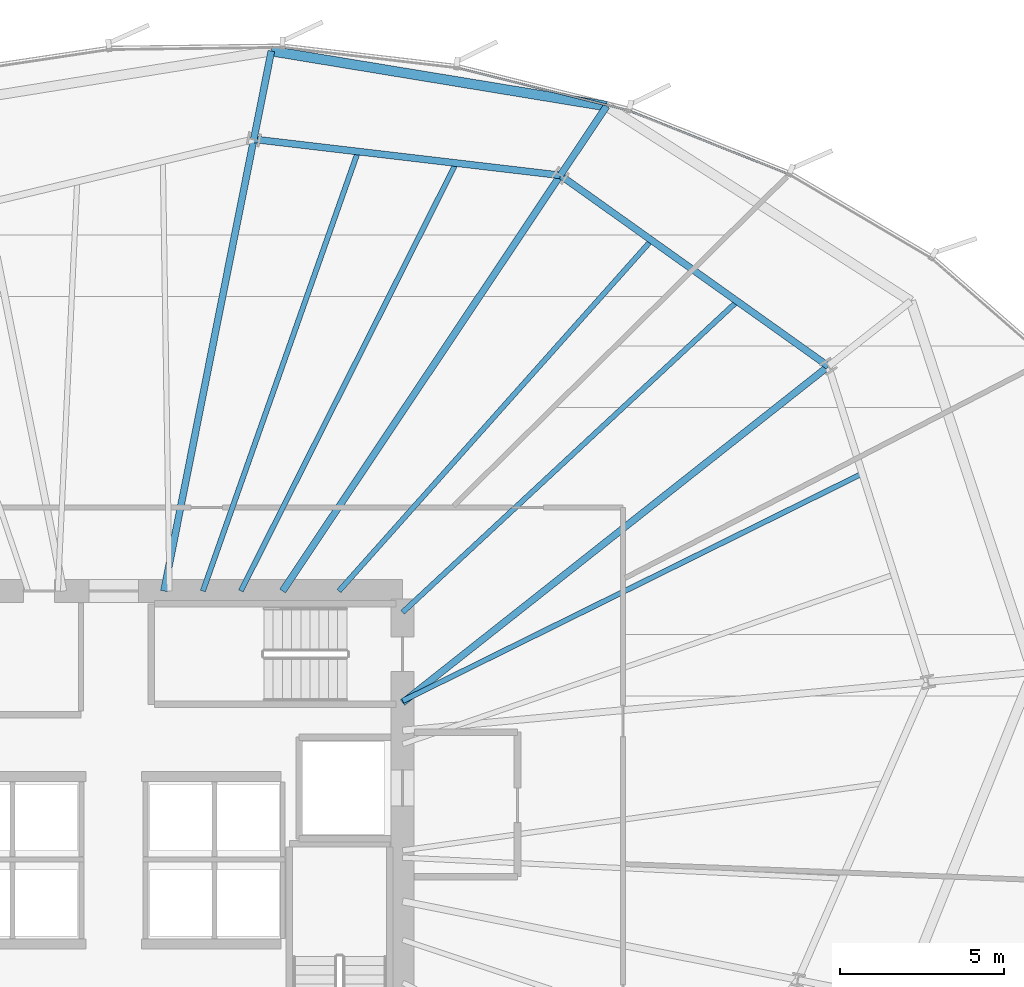
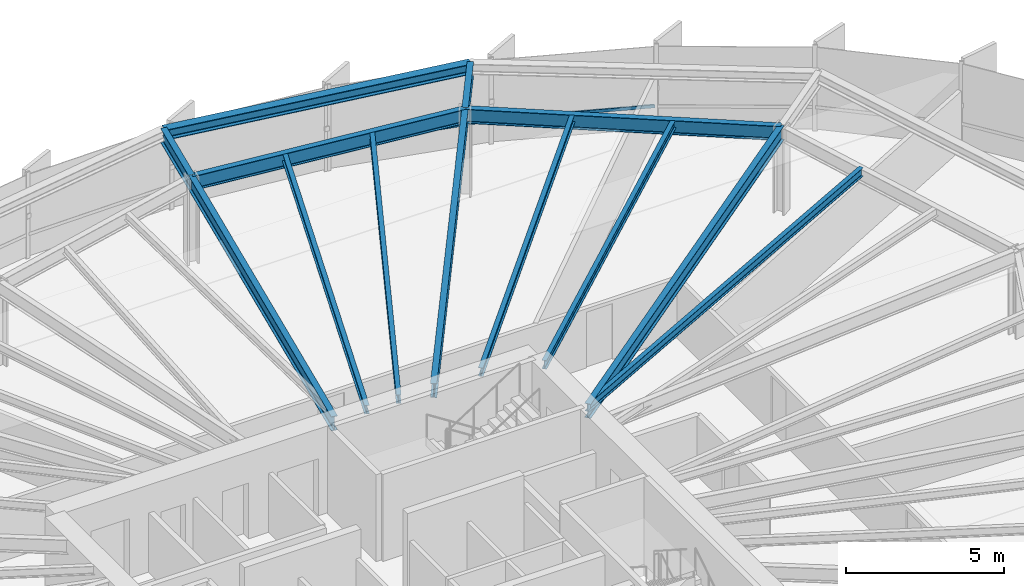
# One storey, part 22 of 35: 13 beams, 2 members, 1 element without a shape of its own.
"""IFC4 building model written with IfcOpenShell, lengths in metres."""

from ifc_helpers import new_model, si_unit, direction, frame, origin, origin_2d, place, context, subcontext, project, spatial, hollow_rectangle, i_section, extrude, source, transform, mapped, material, layer, layer_set, material_profile, profile_set, type_object, element, aggregate, save


model = new_model("IFC4")

# Units and contexts
model_context = context("Model", 3, precision=1e-05, world=origin(), true_north=direction((0.0, 1.0)))
body_context = subcontext(model_context, "Body", "Model", "MODEL_VIEW")
ifc_project = project(units=[si_unit("LENGTHUNIT", "METRE"), si_unit("AREAUNIT", "SQUARE_METRE"), si_unit("VOLUMEUNIT", "CUBIC_METRE"), si_unit("PLANEANGLEUNIT", "RADIAN"), si_unit("MASSUNIT", "GRAM", prefix="KILO"), si_unit("THERMODYNAMICTEMPERATUREUNIT", "KELVIN")], contexts=[model_context])

# Site, building, storey
site_placement = place(None, origin())
site = spatial("IfcSite", under=ifc_project, at=site_placement, CompositionType="ELEMENT")
building_placement = place(site_placement, origin())
building = spatial("IfcBuilding", under=site, at=building_placement, Name="Kethvar Cultural Tower", CompositionType="ELEMENT")
storey_placement = place(building_placement, frame((0.0, 0.0, 85.60009765625)))
storey = spatial("IfcBuildingStorey", under=building, at=storey_placement, Name="L20", CompositionType="ELEMENT", Elevation=85.60009765625)

# Beams
ifc_material_1 = material(Name="Steel S355J2", Category="steel")
ifc_material_profile_1 = material_profile(ifc_material_1, i_section(OverallWidth=0.2099609375, OverallDepth=0.550048828125, WebThickness=0.010986328125, FlangeThickness=0.01708984375, FilletRadius=0.02392578125, at=origin_2d()), Name="Steel S355J2 — IPE550")
ifc_profile_set_1 = profile_set([ifc_material_profile_1], Name="Steel S355J2 — IPE550")
beam_type_1 = type_object("IfcBeamType", Name="BM-IPE550", PredefinedType="BEAM", material=ifc_profile_set_1)
shared_shape_1 = source(origin(), body_context, "Body", "SweptSolid", [
    extrude(i_section(OverallWidth=0.2099609375, OverallDepth=0.550048828125, WebThickness=0.010986328125, FlangeThickness=0.01708984375, FilletRadius=0.02392578125, at=origin_2d()), origin(), (0.0, 0.0, 1.0), 16.527099609375),
])
beam_1_placement = place(storey_placement, frame((55.60009765625, 32.10009765625, 3.072998046875), z_axis=(0.784681939021, 0.619898584105, 0.0), x_axis=(-0.619898584105, 0.784681939021, 0.0)))
element("IfcBeam", 1, at=beam_1_placement, inside=storey, type_object=beam_type_1, Name="L20 Primary Radial Beam RB-02", PredefinedType="BEAM", context=body_context, shape_type="MappedRepresentation", body=[
    mapped(shared_shape_1, transform((0.0, 0.0, 0.0), scale=1.0)),
])
shared_shape_2 = source(origin(), body_context, "Body", "SweptSolid", [
    extrude(i_section(OverallWidth=0.2099609375, OverallDepth=0.550048828125, WebThickness=0.010986328125, FlangeThickness=0.01708984375, FilletRadius=0.02392578125, at=origin_2d()), origin(), (0.0, 0.0, 1.0), 15.22705078125),
])
beam_2_placement = place(storey_placement, frame((51.945068359375, 35.5, 3.072998046875), z_axis=(0.555569390778, 0.83147017507, 0.0), x_axis=(-0.83147017507, 0.555569390778, 0.0)))
element("IfcBeam", 2, at=beam_2_placement, inside=storey, type_object=beam_type_1, Name="L20 Primary Radial Beam RB-03", PredefinedType="BEAM", context=body_context, shape_type="MappedRepresentation", body=[
    mapped(shared_shape_2, transform((0.0, 0.0, 0.0), scale=1.0)),
])
shared_shape_3 = source(origin(), body_context, "Body", "SweptSolid", [
    extrude(i_section(OverallWidth=0.2099609375, OverallDepth=0.550048828125, WebThickness=0.010986328125, FlangeThickness=0.01708984375, FilletRadius=0.02392578125, at=origin_2d()), origin(), (0.0, 0.0, 1.0), 2.532958984375),
])
beam_3_placement = place(storey_placement, frame((60.40478515625, 48.160888671875, 3.072998046875), z_axis=(0.555545104912, 0.831486401818, 0.0), x_axis=(-0.831486401818, 0.555545104912, 0.0)))
element("IfcBeam", 3, at=beam_3_placement, inside=storey, type_object=beam_type_1, Name="L20 Perimeter Cantilever Beam RC-03", PredefinedType="BEAM", context=body_context, shape_type="MappedRepresentation", body=[
    mapped(shared_shape_3, transform((0.0, 0.0, 0.0), scale=1.0)),
])
shared_shape_4 = source(origin(), body_context, "Body", "SweptSolid", [
    extrude(i_section(OverallWidth=0.2099609375, OverallDepth=0.550048828125, WebThickness=0.010986328125, FlangeThickness=0.01708984375, FilletRadius=0.02392578125, at=origin_2d()), origin(), (0.0, 0.0, 1.0), 14.02880859375),
])
beam_4_placement = place(storey_placement, frame((48.33154296875, 35.5, 3.072998046875), z_axis=(0.195101986683, 0.980782960085, 0.0), x_axis=(-0.980782960085, 0.195101986683, 0.0)))
element("IfcBeam", 4, at=beam_4_placement, inside=storey, type_object=beam_type_1, Name="L20 Primary Radial Beam RB-04", PredefinedType="BEAM", context=body_context, shape_type="MappedRepresentation", body=[
    mapped(shared_shape_4, transform((0.0, 0.0, 0.0), scale=1.0)),
])
shared_shape_5 = source(origin(), body_context, "Body", "SweptSolid", [
    extrude(i_section(OverallWidth=0.2099609375, OverallDepth=0.550048828125, WebThickness=0.010986328125, FlangeThickness=0.01708984375, FilletRadius=0.02392578125, at=origin_2d()), origin(), (0.0, 0.0, 1.0), 2.739013671875),
])
beam_5_placement = place(storey_placement, frame((51.068603515625, 49.25927734375, 3.072998046875), z_axis=(0.195019013324, 0.980799461889, 0.0), x_axis=(-0.980799461889, 0.195019013324, 0.0)))
element("IfcBeam", 5, at=beam_5_placement, inside=storey, type_object=beam_type_1, Name="L20 Perimeter Cantilever Beam RC-04", PredefinedType="BEAM", context=body_context, shape_type="MappedRepresentation", body=[
    mapped(shared_shape_5, transform((0.0, 0.0, 0.0), scale=1.0)),
])
ifc_material_profile_2 = material_profile(ifc_material_1, i_section(OverallWidth=0.159912109375, OverallDepth=0.330078125, WebThickness=0.007568359375, FlangeThickness=0.011474609375, FilletRadius=0.01806640625, at=origin_2d()), Name="Steel S355J2 — IPE330")
ifc_profile_set_2 = profile_set([ifc_material_profile_2], Name="Steel S355J2 — IPE330")
beam_type_2 = type_object("IfcBeamType", Name="BM-J330", PredefinedType="JOIST", material=ifc_profile_set_2)
shared_shape_6 = source(origin(), body_context, "Body", "SweptSolid", [
    extrude(i_section(OverallWidth=0.159912109375, OverallDepth=0.330078125, WebThickness=0.007568359375, FlangeThickness=0.011474609375, FilletRadius=0.01806640625, at=origin_2d()), origin(), (0.0, 0.0, 1.0), 15.618896484375),
])
beam_6_placement = place(storey_placement, frame((55.60009765625, 32.152587890625, 3.182861328125), z_axis=(0.896344638992, 0.443357968408, 0.0), x_axis=(-0.443357968408, 0.896344638992, 0.0)))
element("IfcBeam", 6, at=beam_6_placement, inside=storey, type_object=beam_type_2, Name="L20 Composite Floor Joist J-01B", PredefinedType="JOIST", context=body_context, shape_type="MappedRepresentation", body=[
    mapped(shared_shape_6, transform((0.0, 0.0, 0.0), scale=1.0)),
])
shared_shape_7 = source(origin(), body_context, "Body", "SweptSolid", [
    extrude(i_section(OverallWidth=0.2099609375, OverallDepth=0.550048828125, WebThickness=0.010986328125, FlangeThickness=0.01708984375, FilletRadius=0.02392578125, at=origin_2d()), origin(), (0.0, 0.0, 1.0), 10.0234375),
])
beam_7_placement = place(storey_placement, frame((68.568603515625, 42.34521484375, 3.072998046875), z_axis=(-0.814470106239, 0.580205520521, 0.0), x_axis=(-0.580205520521, -0.814470106239, 0.0)))
element("IfcBeam", 7, at=beam_7_placement, inside=storey, type_object=beam_type_1, Name="L20 Column Ring Tie Beam CR-02", PredefinedType="BEAM", context=body_context, shape_type="MappedRepresentation", body=[
    mapped(shared_shape_7, transform((0.0, 0.0, 0.0), scale=1.0)),
])
shared_shape_8 = source(origin(), body_context, "Body", "SweptSolid", [
    extrude(i_section(OverallWidth=0.159912109375, OverallDepth=0.330078125, WebThickness=0.007568359375, FlangeThickness=0.011474609375, FilletRadius=0.01806640625, at=origin_2d()), origin(), (0.0, 0.0, 1.0), 13.91455078125),
])
beam_8_placement = place(storey_placement, frame((55.60009765625, 34.85009765625, 3.182861328125), z_axis=(0.732512843328, 0.680753211054, 0.0), x_axis=(-0.680753211054, 0.732512843328, 0.0)))
element("IfcBeam", 8, at=beam_8_placement, inside=storey, type_object=beam_type_2, Name="L20 Composite Floor Joist J-02A", PredefinedType="JOIST", context=body_context, shape_type="MappedRepresentation", body=[
    mapped(shared_shape_8, transform((0.0, 0.0, 0.0), scale=1.0)),
])
shared_shape_9 = source(origin(), body_context, "Body", "SweptSolid", [
    extrude(i_section(OverallWidth=0.159912109375, OverallDepth=0.330078125, WebThickness=0.007568359375, FlangeThickness=0.011474609375, FilletRadius=0.01806640625, at=origin_2d()), origin(), (0.0, 0.0, 1.0), 14.3095703125),
])
beam_9_placement = place(storey_placement, frame((53.660888671875, 35.5, 3.182861328125), z_axis=(0.665261381663, 0.746610537073, 0.0), x_axis=(-0.746610537073, 0.665261381663, 0.0)))
element("IfcBeam", 9, at=beam_9_placement, inside=storey, type_object=beam_type_2, Name="L20 Composite Floor Joist J-02B", PredefinedType="JOIST", context=body_context, shape_type="MappedRepresentation", body=[
    mapped(shared_shape_9, transform((0.0, 0.0, 0.0), scale=1.0)),
])
shared_shape_10 = source(origin(), body_context, "Body", "SweptSolid", [
    extrude(i_section(OverallWidth=0.2099609375, OverallDepth=0.550048828125, WebThickness=0.010986328125, FlangeThickness=0.01708984375, FilletRadius=0.02392578125, at=origin_2d()), origin(), (0.0, 0.0, 1.0), 9.400634765625),
])
beam_10_placement = place(storey_placement, frame((60.40478515625, 48.160888671875, 3.072998046875), z_axis=(-0.993150427046, 0.116842754407, 0.0), x_axis=(-0.116842754407, -0.993150427046, 0.0)))
element("IfcBeam", 10, at=beam_10_placement, inside=storey, type_object=beam_type_1, Name="L20 Column Ring Tie Beam CR-03", PredefinedType="BEAM", context=body_context, shape_type="MappedRepresentation", body=[
    mapped(shared_shape_10, transform((0.0, 0.0, 0.0), scale=1.0)),
])
ifc_material_profile_3 = material_profile(ifc_material_1, i_section(OverallWidth=0.300048828125, OverallDepth=0.39990234375, WebThickness=0.013427734375, FlangeThickness=0.02392578125, FilletRadius=0.027099609375, at=origin_2d()), Name="Steel S355J2 — HEB400")
ifc_profile_set_3 = profile_set([ifc_material_profile_3], Name="Steel S355J2 — HEB400")
beam_type_3 = type_object("IfcBeamType", Name="BM-SP400", PredefinedType="SPANDREL", material=ifc_profile_set_3)
shared_shape_11 = source(origin(), body_context, "Body", "SweptSolid", [
    extrude(i_section(OverallWidth=0.300048828125, OverallDepth=0.39990234375, WebThickness=0.013427734375, FlangeThickness=0.02392578125, FilletRadius=0.027099609375, at=origin_2d()), origin(), (0.0, 0.0, 1.0), 10.346435546875),
])
beam_11_placement = place(storey_placement, frame((61.81201171875, 50.26708984375, 3.14794921875), z_axis=(-0.986749367166, 0.16225192263, 0.0), x_axis=(-0.16225192263, -0.986749367166, 0.0)))
element("IfcBeam", 11, at=beam_11_placement, inside=storey, type_object=beam_type_3, Name="L20 Perimeter Spandrel Beam SP-03", PredefinedType="SPANDREL", context=body_context, shape_type="MappedRepresentation", body=[
    mapped(shared_shape_11, transform((0.0, 0.0, 0.0), scale=1.0)),
])
shared_shape_12 = source(origin(), body_context, "Body", "SweptSolid", [
    extrude(i_section(OverallWidth=0.159912109375, OverallDepth=0.330078125, WebThickness=0.007568359375, FlangeThickness=0.011474609375, FilletRadius=0.01806640625, at=origin_2d()), origin(), (0.0, 0.0, 1.0), 14.590576171875),
])
beam_12_placement = place(storey_placement, frame((50.673583984375, 35.5, 3.182861328125), z_axis=(0.449394228778, 0.893333547529, 0.0), x_axis=(-0.893333547529, 0.449394228778, 0.0)))
element("IfcBeam", 12, at=beam_12_placement, inside=storey, type_object=beam_type_2, Name="L20 Composite Floor Joist J-03A", PredefinedType="JOIST", context=body_context, shape_type="MappedRepresentation", body=[
    mapped(shared_shape_12, transform((0.0, 0.0, 0.0), scale=1.0)),
])
shared_shape_13 = source(origin(), body_context, "Body", "SweptSolid", [
    extrude(i_section(OverallWidth=0.159912109375, OverallDepth=0.330078125, WebThickness=0.007568359375, FlangeThickness=0.011474609375, FilletRadius=0.01806640625, at=origin_2d()), origin(), (0.0, 0.0, 1.0), 14.1953125),
])
beam_13_placement = place(storey_placement, frame((49.517822265625, 35.5, 3.182861328125), z_axis=(0.332865098769, 0.942974456717, 0.0), x_axis=(-0.942974456717, 0.332865098769, 0.0)))
element("IfcBeam", 13, at=beam_13_placement, inside=storey, type_object=beam_type_2, Name="L20 Composite Floor Joist J-03B", PredefinedType="JOIST", context=body_context, shape_type="MappedRepresentation", body=[
    mapped(shared_shape_13, transform((0.0, 0.0, 0.0), scale=1.0)),
])

# Curtain wall, members
ifc_material_2 = material(Name="Aluminium 6063-T6", Category="aluminium")
ifc_layer = layer(ifc_material_2, 0.179931640625, Name="Aluminium 6063-T6", Category="aluminium")
ifc_layer_set = layer_set([ifc_layer], Name="Aluminium 6063-T6 (180 mm)")
curtain_wall_type = type_object("IfcCurtainWallType", Name="CW-SYS-03-Z2", PredefinedType="NOTDEFINED", material=ifc_layer_set)
curtain_wall_placement = place(storey_placement, origin())
curtain_wall = element("IfcCurtainWall", 14, at=curtain_wall_placement, inside=storey, type_object=curtain_wall_type, Name="L20 Curtain Wall Run 01", PredefinedType="NOTDEFINED")
ifc_material_profile_4 = material_profile(ifc_material_2, hollow_rectangle(XDim=0.054931640625, YDim=0.1201171875, WallThickness=0.00390625, at=origin_2d()), Name="Aluminium 6063-T6 — RHS120x55x4")
ifc_profile_set_4 = profile_set([ifc_material_profile_4], Name="Aluminium 6063-T6 — RHS120x55x4")
member_type = type_object("IfcMemberType", Name="CW-SYS-03-Z2-TRN", PredefinedType="USERDEFINED", material=ifc_profile_set_4)
shared_shape_14 = source(origin(), body_context, "Body", "SweptSolid", [
    extrude(hollow_rectangle(XDim=0.054931640625, YDim=0.1201171875, WallThickness=0.00390625, at=origin_2d()), origin(), (0.0, 0.0, 1.0), 5.1875),
])
member_1_placement = place(storey_placement, frame((67.336181640625, 48.204345703125, 0.949951171875), z_axis=(-0.929043618918, 0.369970207108, 0.0), x_axis=(-0.369970207108, -0.929043618918, 0.0)))
member_1 = element("IfcMember", 15, at=member_1_placement, type_object=member_type, Name="CW-L20-R01 Transom 5", ObjectType="TRANSOM", PredefinedType="USERDEFINED", context=body_context, shape_type="MappedRepresentation", body=[
    mapped(shared_shape_14, transform((0.0, 0.0, 0.0), scale=1.0)),
])
shared_shape_15 = source(origin(), body_context, "Body", "SweptSolid", [
    extrude(hollow_rectangle(XDim=0.054931640625, YDim=0.1201171875, WallThickness=0.00390625, at=origin_2d()), origin(), (0.0, 0.0, 1.0), 5.302490234375),
])
member_2_placement = place(storey_placement, frame((62.44970703125, 50.14501953125, 0.949951171875), z_axis=(-0.970356087126, 0.241679672661, 0.0), x_axis=(-0.241679672661, -0.970356087126, 0.0)))
member_2 = element("IfcMember", 16, at=member_2_placement, type_object=member_type, Name="CW-L20-R01 Transom 6", ObjectType="TRANSOM", PredefinedType="USERDEFINED", context=body_context, shape_type="MappedRepresentation", body=[
    mapped(shared_shape_15, transform((0.0, 0.0, 0.0), scale=1.0)),
])
aggregate(curtain_wall, [member_1, member_2])

save(model, "model.ifc")
